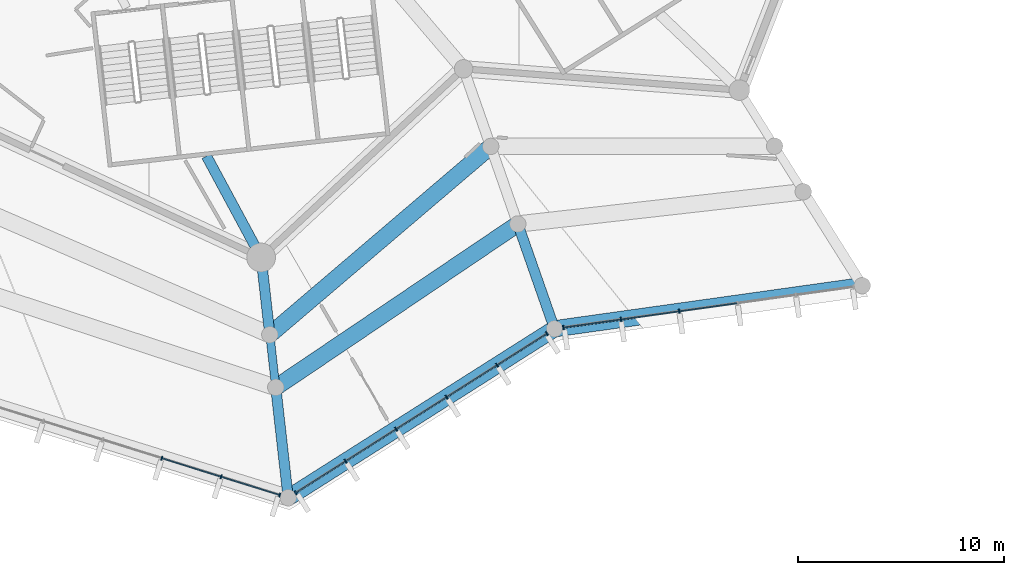
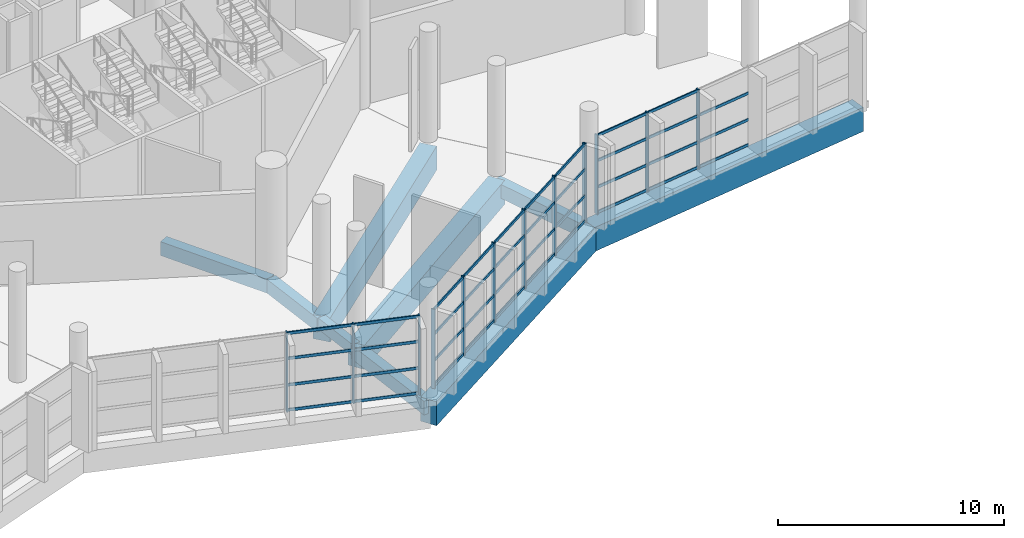
# One storey, part 31 of 249: 51 members, 9 beams, 3 elements without a shape of their own.
"""IFC4 building model written with IfcOpenShell, lengths in metres."""

from ifc_helpers import new_model, si_unit, direction, frame, origin, origin_2d, place, context, subcontext, project, spatial, rectangle, extrude, material, layer, layer_set, material_profile, profile_set, type_object, element, aggregate, save


model = new_model("IFC4")

# Units and contexts
model_context = context("Model", 3, precision=1e-05, world=origin(), true_north=direction((0.0, 1.0)))
body_context = subcontext(model_context, "Body", "Model", "MODEL_VIEW")
ifc_project = project(units=[si_unit("LENGTHUNIT", "METRE"), si_unit("AREAUNIT", "SQUARE_METRE"), si_unit("VOLUMEUNIT", "CUBIC_METRE"), si_unit("PLANEANGLEUNIT", "RADIAN"), si_unit("MASSUNIT", "GRAM", prefix="KILO")], contexts=[model_context])

# Site, building, storey
site_placement = place(None, origin())
site = spatial("IfcSite", under=ifc_project, at=site_placement, CompositionType="ELEMENT")
building_placement = place(site_placement, origin())
building = spatial("IfcBuilding", under=site, at=building_placement, Name="Meseta Stadium", CompositionType="ELEMENT")
storey_placement = place(building_placement, frame((0.0, 0.0, 12.0)))
storey = spatial("IfcBuildingStorey", under=building, at=storey_placement, Name="L02", CompositionType="ELEMENT", Elevation=12.0)

# Beams
ifc_material_1 = material(Name="Concrete C40/50", Category="concrete")
ifc_material_profile_1 = material_profile(ifc_material_1, rectangle(XDim=0.39990234375, YDim=0.60009765625, at=origin_2d()), Name="RC 400x600")
ifc_profile_set_1 = profile_set([ifc_material_profile_1], Name="Concrete C40/50")
beam_type_1 = type_object("IfcBeamType", Name="RC beam 400x600", PredefinedType="BEAM", material=ifc_profile_set_1)
beam_1_placement = place(storey_placement, frame((52.626220703125, -108.80810546875, -0.64990234375), z_axis=(0.111926742176, -0.99371646076, 0.0), x_axis=(0.99371646076, 0.111926742176, 0.0)))
element("IfcBeam", 1, at=beam_1_placement, inside=storey, type_object=beam_type_1, Name="L02 radial beam frame 50 line M to Q", PredefinedType="BEAM", context=body_context, shape_type="SweptSolid", body=[
    extrude(rectangle(XDim=0.39990234375, YDim=0.60009765625, at=origin_2d()), origin(), (0.0, 0.0, 1.0), 2.580322265625),
])
ifc_material_2 = material(Name="Concrete C40/50", Category="concrete")
ifc_material_profile_2 = material_profile(ifc_material_2, rectangle(XDim=0.5, YDim=0.75, at=origin_2d()), Name="RC 500x750")
ifc_profile_set_2 = profile_set([ifc_material_profile_2], Name="Concrete C40/50")
beam_type_2 = type_object("IfcBeamType", Name="RC beam 500x750", PredefinedType="BEAM", material=ifc_profile_set_2)
beam_2_placement = place(storey_placement, frame((49.54541015625, -100.1181640625, -0.72509765625), z_axis=(0.474227121741, -0.880402542594, 0.0), x_axis=(0.880402542594, 0.474227121741, 0.0)))
element("IfcBeam", 2, at=beam_2_placement, inside=storey, type_object=beam_type_2, Name="L02 radial beam frame 50 line P to R", PredefinedType="BEAM", context=body_context, shape_type="SweptSolid", body=[
    extrude(rectangle(XDim=0.5, YDim=0.75, at=origin_2d()), origin(), (0.0, 0.0, 1.0), 5.603759765625),
])
beam_3_placement = place(storey_placement, frame((52.202880859375, -105.0517578125, -0.72509765625), z_axis=(0.111990888536, -0.993709233571, 0.0), x_axis=(0.993709233571, 0.111990888536, 0.0)))
element("IfcBeam", 3, at=beam_3_placement, inside=storey, type_object=beam_type_2, Name="L02 radial beam frame 50 line R to M", PredefinedType="BEAM", context=body_context, shape_type="SweptSolid", body=[
    extrude(rectangle(XDim=0.5, YDim=0.75, at=origin_2d()), origin(), (0.0, 0.0, 1.0), 3.780029296875),
])
for number, where, z_axis, x_axis, name in (
    (4, (52.9150390625, -111.372314453125, -0.72509765625), (0.111944897098, -0.993714415722, 0.0), (0.993714415722, 0.111944897098, 0.0), "L02 radial beam frame 50 line Q to O"),
    (5, (64.69384765625, -103.423828125, -0.72509765625), (0.330271882003, -0.943885842652, 0.0), (0.943885842652, 0.330271882003, 0.0), "L02 radial beam frame 51 line Q to O"),
):
    element("IfcBeam", number, at=place(storey_placement, frame(where, z_axis=z_axis, x_axis=x_axis)), inside=storey, type_object=beam_type_2, Name=name, PredefinedType="BEAM", context=body_context, shape_type="SweptSolid", body=[
        extrude(rectangle(XDim=0.5, YDim=0.75, at=origin_2d()), origin(), (0.0, 0.0, 1.0), 5.39990234375),
    ])
ifc_material_3 = material(Name="Concrete C40/50", Category="concrete")
ifc_material_profile_3 = material_profile(ifc_material_3, rectangle(XDim=0.800048828125, YDim=1.300048828125, at=origin_2d()), Name="RC 800x1300")
ifc_profile_set_3 = profile_set([ifc_material_profile_3], Name="Concrete C40/50")
beam_type_3 = type_object("IfcBeamType", Name="RC beam 800x1300", PredefinedType="BEAM", material=ifc_profile_set_3)
beam_4_placement = place(storey_placement, frame((52.626220703125, -108.80810546875, -1.0), z_axis=(0.761053850743, 0.648688705212, 0.0), x_axis=(-0.648688705212, 0.761053850743, 0.0)))
element("IfcBeam", 6, at=beam_4_placement, inside=storey, type_object=beam_type_3, Name="L02 ring beam frame 50 line M", PredefinedType="BEAM", context=body_context, shape_type="SweptSolid", body=[
    extrude(rectangle(XDim=0.800048828125, YDim=1.300048828125, at=origin_2d()), origin(), (0.0, 0.0, 1.0), 14.12060546875),
])
beam_5_placement = place(storey_placement, frame((52.9150390625, -111.372314453125, -1.0), z_axis=(0.828920770395, 0.559366030795, 0.0), x_axis=(-0.559366030795, 0.828920770395, 0.0)))
element("IfcBeam", 7, at=beam_5_placement, inside=storey, type_object=beam_type_3, Name="L02 ring beam frame 50 line Q", PredefinedType="BEAM", context=body_context, shape_type="SweptSolid", body=[
    extrude(rectangle(XDim=0.800048828125, YDim=1.300048828125, at=origin_2d()), origin(), (0.0, 0.0, 1.0), 14.209716796875),
])
beam_6_placement = place(storey_placement, frame((53.51953125, -116.73828125, -1.0), z_axis=(0.844496467493, 0.535561122927, 0.0), x_axis=(-0.535561122927, 0.844496467493, 0.0)))
element("IfcBeam", 8, at=beam_6_placement, inside=storey, type_object=beam_type_3, Name="L02 ring beam frame 50 line O", PredefinedType="BEAM", context=body_context, shape_type="SweptSolid", body=[
    extrude(rectangle(XDim=0.800048828125, YDim=1.300048828125, at=origin_2d()), origin(), (0.0, 0.0, 1.0), 15.34375),
])
beam_7_placement = place(storey_placement, frame((66.477294921875, -108.520751953125, -1.0), z_axis=(0.990344007641, 0.138631693814, 0.0), x_axis=(-0.138631693814, 0.990344007641, 0.0)))
element("IfcBeam", 9, at=beam_7_placement, inside=storey, type_object=beam_type_3, Name="L02 ring beam frame 51 line O", PredefinedType="BEAM", context=body_context, shape_type="SweptSolid", body=[
    extrude(rectangle(XDim=0.800048828125, YDim=1.300048828125, at=origin_2d()), origin(), (0.0, 0.0, 1.0), 15.122314453125),
])

# Curtain wall, members
ifc_material_4 = material(Name="Aluminium", Category="aluminium")
ifc_layer = layer(ifc_material_4, 0.199951171875)
ifc_layer_set = layer_set([ifc_layer], Name="Ring shopfront curtain wall")
curtain_wall_type = type_object("IfcCurtainWallType", Name="Ring shopfront curtain wall", PredefinedType="NOTDEFINED", material=ifc_layer_set)
curtain_wall_1_placement = place(storey_placement, origin())
curtain_wall_1 = element("IfcCurtainWall", 10, at=curtain_wall_1_placement, inside=storey, type_object=curtain_wall_type, Name="Ring glazing L02 F49", PredefinedType="NOTDEFINED")
ifc_material_5 = material(Name="Aluminium", Category="aluminium")
ifc_material_profile_4 = material_profile(ifc_material_5, rectangle(XDim=0.199951171875, YDim=0.06005859375, at=origin_2d()), Name="CW 200x60")
ifc_profile_set_4 = profile_set([ifc_material_profile_4], Name="Aluminium")
member_type_1 = type_object("IfcMemberType", Name="Ring CW mullion 60x200", PredefinedType="MULLION", material=ifc_profile_set_4)
member_1_placement = place(storey_placement, frame((47.36865234375, -114.8193359375, 0.0), z_axis=(0.0, 0.0, 1.0), x_axis=(0.297861157885, 0.95460920309, 0.0)))
member_1 = element("IfcMember", 11, at=member_1_placement, type_object=member_type_1, Name="CWR1 mullion 4", PredefinedType="MULLION", context=body_context, shape_type="SweptSolid", body=[
    extrude(rectangle(XDim=0.199951171875, YDim=0.06005859375, at=origin_2d()), origin(), (0.0, 0.0, 1.0), 4.300048828125),
])
member_2_placement = place(storey_placement, frame((50.253173828125, -115.71923828125, 0.0), z_axis=(0.0, 0.0, 1.0), x_axis=(0.297861157885, 0.95460920309, 0.0)))
member_2 = element("IfcMember", 12, at=member_2_placement, type_object=member_type_1, Name="CWR1 mullion 5", PredefinedType="MULLION", context=body_context, shape_type="SweptSolid", body=[
    extrude(rectangle(XDim=0.199951171875, YDim=0.06005859375, at=origin_2d()), origin(), (0.0, 0.0, 1.0), 4.300048828125),
])
member_3_placement = place(storey_placement, frame((53.109130859375, -116.6103515625, 0.0), z_axis=(0.0, 0.0, 1.0), x_axis=(0.297861157885, 0.95460920309, 0.0)))
member_3 = element("IfcMember", 13, at=member_3_placement, type_object=member_type_1, Name="CWR1 mullion 6", PredefinedType="MULLION", context=body_context, shape_type="SweptSolid", body=[
    extrude(rectangle(XDim=0.199951171875, YDim=0.06005859375, at=origin_2d()), origin(), (0.0, 0.0, 1.0), 4.300048828125),
])

curtain_wall_2_placement = place(storey_placement, origin())
curtain_wall_2 = element("IfcCurtainWall", 14, at=curtain_wall_2_placement, inside=storey, type_object=curtain_wall_type, Name="Ring glazing L02 F50", PredefinedType="NOTDEFINED")
member_4_placement = place(storey_placement, frame((53.8828125, -116.508056640625, 0.0), z_axis=(0.0, 0.0, 1.0), x_axis=(-0.535569055659, 0.844491436677, 0.0)))
member_4 = element("IfcMember", 15, at=member_4_placement, type_object=member_type_1, Name="CWR1 mullion 1", PredefinedType="MULLION", context=body_context, shape_type="SweptSolid", body=[
    extrude(rectangle(XDim=0.199951171875, YDim=0.06005859375, at=origin_2d()), origin(), (0.0, 0.0, 1.0), 4.300048828125),
])
member_5_placement = place(storey_placement, frame((56.313720703125, -114.96630859375, 0.0), z_axis=(0.0, 0.0, 1.0), x_axis=(-0.535569055659, 0.844491436677, 0.0)))
member_5 = element("IfcMember", 16, at=member_5_placement, type_object=member_type_1, Name="CWR1 mullion 2", PredefinedType="MULLION", context=body_context, shape_type="SweptSolid", body=[
    extrude(rectangle(XDim=0.199951171875, YDim=0.06005859375, at=origin_2d()), origin(), (0.0, 0.0, 1.0), 4.300048828125),
])
member_6_placement = place(storey_placement, frame((58.770263671875, -113.408447265625, 0.0), z_axis=(0.0, 0.0, 1.0), x_axis=(-0.535569055659, 0.844491436677, 0.0)))
member_6 = element("IfcMember", 17, at=member_6_placement, type_object=member_type_1, Name="CWR1 mullion 3", PredefinedType="MULLION", context=body_context, shape_type="SweptSolid", body=[
    extrude(rectangle(XDim=0.199951171875, YDim=0.06005859375, at=origin_2d()), origin(), (0.0, 0.0, 1.0), 4.300048828125),
])
member_7_placement = place(storey_placement, frame((61.2265625, -111.8505859375, 0.0), z_axis=(0.0, 0.0, 1.0), x_axis=(-0.535569055659, 0.844491436677, 0.0)))
member_7 = element("IfcMember", 18, at=member_7_placement, type_object=member_type_1, Name="CWR1 mullion 4", PredefinedType="MULLION", context=body_context, shape_type="SweptSolid", body=[
    extrude(rectangle(XDim=0.199951171875, YDim=0.06005859375, at=origin_2d()), origin(), (0.0, 0.0, 1.0), 4.300048828125),
])
member_8_placement = place(storey_placement, frame((63.68310546875, -110.292724609375, 0.0), z_axis=(0.0, 0.0, 1.0), x_axis=(-0.535569055659, 0.844491436677, 0.0)))
member_8 = element("IfcMember", 19, at=member_8_placement, type_object=member_type_1, Name="CWR1 mullion 5", PredefinedType="MULLION", context=body_context, shape_type="SweptSolid", body=[
    extrude(rectangle(XDim=0.199951171875, YDim=0.06005859375, at=origin_2d()), origin(), (0.0, 0.0, 1.0), 4.300048828125),
])
member_9_placement = place(storey_placement, frame((66.1142578125, -108.7509765625, 0.0), z_axis=(0.0, 0.0, 1.0), x_axis=(-0.535569055659, 0.844491436677, 0.0)))
member_9 = element("IfcMember", 20, at=member_9_placement, type_object=member_type_1, Name="CWR1 mullion 6", PredefinedType="MULLION", context=body_context, shape_type="SweptSolid", body=[
    extrude(rectangle(XDim=0.199951171875, YDim=0.06005859375, at=origin_2d()), origin(), (0.0, 0.0, 1.0), 4.300048828125),
])

curtain_wall_3_placement = place(storey_placement, origin())
curtain_wall_3 = element("IfcCurtainWall", 21, at=curtain_wall_3_placement, inside=storey, type_object=curtain_wall_type, Name="Ring glazing L02 F51", PredefinedType="NOTDEFINED")
member_10_placement = place(storey_placement, frame((66.903076171875, -108.461181640625, 0.0), z_axis=(0.0, 0.0, 1.0), x_axis=(-0.13864277713, 0.990342456098, 0.0)))
member_10 = element("IfcMember", 22, at=member_10_placement, type_object=member_type_1, Name="CWR1 mullion 1", PredefinedType="MULLION", context=body_context, shape_type="SweptSolid", body=[
    extrude(rectangle(XDim=0.199951171875, YDim=0.06005859375, at=origin_2d()), origin(), (0.0, 0.0, 1.0), 4.300048828125),
])
member_11_placement = place(storey_placement, frame((69.710205078125, -108.068115234375, 0.0), z_axis=(0.0, 0.0, 1.0), x_axis=(-0.13864277713, 0.990342456098, 0.0)))
member_11 = element("IfcMember", 23, at=member_11_placement, type_object=member_type_1, Name="CWR1 mullion 2", PredefinedType="MULLION", context=body_context, shape_type="SweptSolid", body=[
    extrude(rectangle(XDim=0.199951171875, YDim=0.06005859375, at=origin_2d()), origin(), (0.0, 0.0, 1.0), 4.300048828125),
])
member_12_placement = place(storey_placement, frame((72.547119140625, -107.6708984375, 0.0), z_axis=(0.0, 0.0, 1.0), x_axis=(-0.13864277713, 0.990342456098, 0.0)))
member_12 = element("IfcMember", 24, at=member_12_placement, type_object=member_type_1, Name="CWR1 mullion 3", PredefinedType="MULLION", context=body_context, shape_type="SweptSolid", body=[
    extrude(rectangle(XDim=0.199951171875, YDim=0.06005859375, at=origin_2d()), origin(), (0.0, 0.0, 1.0), 4.300048828125),
])

# Member
ifc_material_6 = material(Name="Aluminium", Category="aluminium")
ifc_material_profile_5 = material_profile(ifc_material_6, rectangle(XDim=0.06005859375, YDim=0.14990234375, at=origin_2d()), Name="CW 60x150")
ifc_profile_set_5 = profile_set([ifc_material_profile_5], Name="Aluminium")
member_type_2 = type_object("IfcMemberType", Name="Ring CW transom 60x150", PredefinedType="USERDEFINED", material=ifc_profile_set_5)
member_13_placement = place(storey_placement, frame((47.3974609375, -114.828125, 0.074951171875), z_axis=(0.954614829799, -0.297843124358, 0.0), x_axis=(0.297843124358, 0.954614829799, 0.0)))
member_13 = element("IfcMember", 25, at=member_13_placement, type_object=member_type_2, Name="CWR1 transom 4.1", ObjectType="TRANSOM", PredefinedType="USERDEFINED", context=body_context, shape_type="SweptSolid", body=[
    extrude(rectangle(XDim=0.06005859375, YDim=0.14990234375, at=origin_2d()), origin(), (0.0, 0.0, 1.0), 2.961669921875),
])

member_14_placement = place(storey_placement, frame((47.3974609375, -114.828125, 1.433349609375), z_axis=(0.954614829799, -0.297843124358, 0.0), x_axis=(0.297843124358, 0.954614829799, 0.0)))
member_14 = element("IfcMember", 26, at=member_14_placement, type_object=member_type_2, Name="CWR1 transom 4.2", ObjectType="TRANSOM", PredefinedType="USERDEFINED", context=body_context, shape_type="SweptSolid", body=[
    extrude(rectangle(XDim=0.06005859375, YDim=0.14990234375, at=origin_2d()), origin(), (0.0, 0.0, 1.0), 2.961669921875),
])

member_15_placement = place(storey_placement, frame((47.3974609375, -114.828125, 2.86669921875), z_axis=(0.954614829799, -0.297843124358, 0.0), x_axis=(0.297843124358, 0.954614829799, 0.0)))
member_15 = element("IfcMember", 27, at=member_15_placement, type_object=member_type_2, Name="CWR1 transom 4.3", ObjectType="TRANSOM", PredefinedType="USERDEFINED", context=body_context, shape_type="SweptSolid", body=[
    extrude(rectangle(XDim=0.06005859375, YDim=0.14990234375, at=origin_2d()), origin(), (0.0, 0.0, 1.0), 2.961669921875),
])

member_16_placement = place(storey_placement, frame((47.3974609375, -114.828125, 4.22509765625), z_axis=(0.954614829799, -0.297843124358, 0.0), x_axis=(0.297843124358, 0.954614829799, 0.0)))
member_16 = element("IfcMember", 28, at=member_16_placement, type_object=member_type_2, Name="CWR1 transom 4.4", ObjectType="TRANSOM", PredefinedType="USERDEFINED", context=body_context, shape_type="SweptSolid", body=[
    extrude(rectangle(XDim=0.06005859375, YDim=0.14990234375, at=origin_2d()), origin(), (0.0, 0.0, 1.0), 2.961669921875),
])

member_17_placement = place(storey_placement, frame((50.281982421875, -115.728271484375, 0.074951171875), z_axis=(0.954626563938, -0.297805512749, 0.0), x_axis=(0.297805512749, 0.954626563938, 0.0)))
member_17 = element("IfcMember", 29, at=member_17_placement, type_object=member_type_2, Name="CWR1 transom 5.1", ObjectType="TRANSOM", PredefinedType="USERDEFINED", context=body_context, shape_type="SweptSolid", body=[
    extrude(rectangle(XDim=0.06005859375, YDim=0.14990234375, at=origin_2d()), origin(), (0.0, 0.0, 1.0), 2.931640625),
])

member_18_placement = place(storey_placement, frame((50.281982421875, -115.728271484375, 1.433349609375), z_axis=(0.954626563938, -0.297805512749, 0.0), x_axis=(0.297805512749, 0.954626563938, 0.0)))
member_18 = element("IfcMember", 30, at=member_18_placement, type_object=member_type_2, Name="CWR1 transom 5.2", ObjectType="TRANSOM", PredefinedType="USERDEFINED", context=body_context, shape_type="SweptSolid", body=[
    extrude(rectangle(XDim=0.06005859375, YDim=0.14990234375, at=origin_2d()), origin(), (0.0, 0.0, 1.0), 2.931640625),
])

member_19_placement = place(storey_placement, frame((50.281982421875, -115.728271484375, 2.86669921875), z_axis=(0.954626563938, -0.297805512749, 0.0), x_axis=(0.297805512749, 0.954626563938, 0.0)))
member_19 = element("IfcMember", 31, at=member_19_placement, type_object=member_type_2, Name="CWR1 transom 5.3", ObjectType="TRANSOM", PredefinedType="USERDEFINED", context=body_context, shape_type="SweptSolid", body=[
    extrude(rectangle(XDim=0.06005859375, YDim=0.14990234375, at=origin_2d()), origin(), (0.0, 0.0, 1.0), 2.931640625),
])

member_20_placement = place(storey_placement, frame((50.281982421875, -115.728271484375, 4.22509765625), z_axis=(0.954626563938, -0.297805512749, 0.0), x_axis=(0.297805512749, 0.954626563938, 0.0)))
member_20 = element("IfcMember", 32, at=member_20_placement, type_object=member_type_2, Name="CWR1 transom 5.4", ObjectType="TRANSOM", PredefinedType="USERDEFINED", context=body_context, shape_type="SweptSolid", body=[
    extrude(rectangle(XDim=0.06005859375, YDim=0.14990234375, at=origin_2d()), origin(), (0.0, 0.0, 1.0), 2.931640625),
])

aggregate(curtain_wall_1, [member_1, member_2, member_3, member_13, member_14, member_15, member_16, member_17, member_18, member_19, member_20])

member_21_placement = place(storey_placement, frame((53.907958984375, -116.4921875, 0.074951171875), z_axis=(0.84449138182, 0.535569142157, 0.0), x_axis=(-0.535569142157, 0.84449138182, 0.0)))
member_21 = element("IfcMember", 33, at=member_21_placement, type_object=member_type_2, Name="CWR1 transom 1.1", ObjectType="TRANSOM", PredefinedType="USERDEFINED", context=body_context, shape_type="SweptSolid", body=[
    extrude(rectangle(XDim=0.06005859375, YDim=0.14990234375, at=origin_2d()), origin(), (0.0, 0.0, 1.0), 2.819091796875),
])

member_22_placement = place(storey_placement, frame((53.907958984375, -116.4921875, 1.433349609375), z_axis=(0.84449138182, 0.535569142157, 0.0), x_axis=(-0.535569142157, 0.84449138182, 0.0)))
member_22 = element("IfcMember", 34, at=member_22_placement, type_object=member_type_2, Name="CWR1 transom 1.2", ObjectType="TRANSOM", PredefinedType="USERDEFINED", context=body_context, shape_type="SweptSolid", body=[
    extrude(rectangle(XDim=0.06005859375, YDim=0.14990234375, at=origin_2d()), origin(), (0.0, 0.0, 1.0), 2.819091796875),
])

member_23_placement = place(storey_placement, frame((53.907958984375, -116.4921875, 2.86669921875), z_axis=(0.84449138182, 0.535569142157, 0.0), x_axis=(-0.535569142157, 0.84449138182, 0.0)))
member_23 = element("IfcMember", 35, at=member_23_placement, type_object=member_type_2, Name="CWR1 transom 1.3", ObjectType="TRANSOM", PredefinedType="USERDEFINED", context=body_context, shape_type="SweptSolid", body=[
    extrude(rectangle(XDim=0.06005859375, YDim=0.14990234375, at=origin_2d()), origin(), (0.0, 0.0, 1.0), 2.819091796875),
])

member_24_placement = place(storey_placement, frame((53.907958984375, -116.4921875, 4.22509765625), z_axis=(0.84449138182, 0.535569142157, 0.0), x_axis=(-0.535569142157, 0.84449138182, 0.0)))
member_24 = element("IfcMember", 36, at=member_24_placement, type_object=member_type_2, Name="CWR1 transom 1.4", ObjectType="TRANSOM", PredefinedType="USERDEFINED", context=body_context, shape_type="SweptSolid", body=[
    extrude(rectangle(XDim=0.06005859375, YDim=0.14990234375, at=origin_2d()), origin(), (0.0, 0.0, 1.0), 2.819091796875),
])

member_25_placement = place(storey_placement, frame((56.339111328125, -114.9501953125, 0.074951171875), z_axis=(0.844503851556, 0.535549479234, 0.0), x_axis=(-0.535549479234, 0.844503851556, 0.0)))
member_25 = element("IfcMember", 37, at=member_25_placement, type_object=member_type_2, Name="CWR1 transom 2.1", ObjectType="TRANSOM", PredefinedType="USERDEFINED", context=body_context, shape_type="SweptSolid", body=[
    extrude(rectangle(XDim=0.06005859375, YDim=0.14990234375, at=origin_2d()), origin(), (0.0, 0.0, 1.0), 2.8486328125),
])

member_26_placement = place(storey_placement, frame((56.339111328125, -114.9501953125, 1.433349609375), z_axis=(0.844503851556, 0.535549479234, 0.0), x_axis=(-0.535549479234, 0.844503851556, 0.0)))
member_26 = element("IfcMember", 38, at=member_26_placement, type_object=member_type_2, Name="CWR1 transom 2.2", ObjectType="TRANSOM", PredefinedType="USERDEFINED", context=body_context, shape_type="SweptSolid", body=[
    extrude(rectangle(XDim=0.06005859375, YDim=0.14990234375, at=origin_2d()), origin(), (0.0, 0.0, 1.0), 2.8486328125),
])

member_27_placement = place(storey_placement, frame((56.339111328125, -114.9501953125, 2.86669921875), z_axis=(0.844503851556, 0.535549479234, 0.0), x_axis=(-0.535549479234, 0.844503851556, 0.0)))
member_27 = element("IfcMember", 39, at=member_27_placement, type_object=member_type_2, Name="CWR1 transom 2.3", ObjectType="TRANSOM", PredefinedType="USERDEFINED", context=body_context, shape_type="SweptSolid", body=[
    extrude(rectangle(XDim=0.06005859375, YDim=0.14990234375, at=origin_2d()), origin(), (0.0, 0.0, 1.0), 2.8486328125),
])

member_28_placement = place(storey_placement, frame((56.339111328125, -114.9501953125, 4.22509765625), z_axis=(0.844503851556, 0.535549479234, 0.0), x_axis=(-0.535549479234, 0.844503851556, 0.0)))
member_28 = element("IfcMember", 40, at=member_28_placement, type_object=member_type_2, Name="CWR1 transom 2.4", ObjectType="TRANSOM", PredefinedType="USERDEFINED", context=body_context, shape_type="SweptSolid", body=[
    extrude(rectangle(XDim=0.06005859375, YDim=0.14990234375, at=origin_2d()), origin(), (0.0, 0.0, 1.0), 2.8486328125),
])

member_29_placement = place(storey_placement, frame((58.795654296875, -113.392333984375, 0.074951171875), z_axis=(0.844503851556, 0.535549479234, 0.0), x_axis=(-0.535549479234, 0.844503851556, 0.0)))
member_29 = element("IfcMember", 41, at=member_29_placement, type_object=member_type_2, Name="CWR1 transom 3.1", ObjectType="TRANSOM", PredefinedType="USERDEFINED", context=body_context, shape_type="SweptSolid", body=[
    extrude(rectangle(XDim=0.06005859375, YDim=0.14990234375, at=origin_2d()), origin(), (0.0, 0.0, 1.0), 2.8486328125),
])

member_30_placement = place(storey_placement, frame((58.795654296875, -113.392333984375, 1.433349609375), z_axis=(0.844503851556, 0.535549479234, 0.0), x_axis=(-0.535549479234, 0.844503851556, 0.0)))
member_30 = element("IfcMember", 42, at=member_30_placement, type_object=member_type_2, Name="CWR1 transom 3.2", ObjectType="TRANSOM", PredefinedType="USERDEFINED", context=body_context, shape_type="SweptSolid", body=[
    extrude(rectangle(XDim=0.06005859375, YDim=0.14990234375, at=origin_2d()), origin(), (0.0, 0.0, 1.0), 2.8486328125),
])

member_31_placement = place(storey_placement, frame((58.795654296875, -113.392333984375, 2.86669921875), z_axis=(0.844503851556, 0.535549479234, 0.0), x_axis=(-0.535549479234, 0.844503851556, 0.0)))
member_31 = element("IfcMember", 43, at=member_31_placement, type_object=member_type_2, Name="CWR1 transom 3.3", ObjectType="TRANSOM", PredefinedType="USERDEFINED", context=body_context, shape_type="SweptSolid", body=[
    extrude(rectangle(XDim=0.06005859375, YDim=0.14990234375, at=origin_2d()), origin(), (0.0, 0.0, 1.0), 2.8486328125),
])

member_32_placement = place(storey_placement, frame((58.795654296875, -113.392333984375, 4.22509765625), z_axis=(0.844503851556, 0.535549479234, 0.0), x_axis=(-0.535549479234, 0.844503851556, 0.0)))
member_32 = element("IfcMember", 44, at=member_32_placement, type_object=member_type_2, Name="CWR1 transom 3.4", ObjectType="TRANSOM", PredefinedType="USERDEFINED", context=body_context, shape_type="SweptSolid", body=[
    extrude(rectangle(XDim=0.06005859375, YDim=0.14990234375, at=origin_2d()), origin(), (0.0, 0.0, 1.0), 2.8486328125),
])

member_33_placement = place(storey_placement, frame((61.251953125, -111.834716796875, 0.074951171875), z_axis=(0.844465090539, 0.535610596293, 0.0), x_axis=(-0.535610596293, 0.844465090539, 0.0)))
member_33 = element("IfcMember", 45, at=member_33_placement, type_object=member_type_2, Name="CWR1 transom 4.1", ObjectType="TRANSOM", PredefinedType="USERDEFINED", context=body_context, shape_type="SweptSolid", body=[
    extrude(rectangle(XDim=0.06005859375, YDim=0.14990234375, at=origin_2d()), origin(), (0.0, 0.0, 1.0), 2.848876953125),
])

member_34_placement = place(storey_placement, frame((61.251953125, -111.834716796875, 1.433349609375), z_axis=(0.844465090539, 0.535610596293, 0.0), x_axis=(-0.535610596293, 0.844465090539, 0.0)))
member_34 = element("IfcMember", 46, at=member_34_placement, type_object=member_type_2, Name="CWR1 transom 4.2", ObjectType="TRANSOM", PredefinedType="USERDEFINED", context=body_context, shape_type="SweptSolid", body=[
    extrude(rectangle(XDim=0.06005859375, YDim=0.14990234375, at=origin_2d()), origin(), (0.0, 0.0, 1.0), 2.848876953125),
])

member_35_placement = place(storey_placement, frame((61.251953125, -111.834716796875, 2.86669921875), z_axis=(0.844465090539, 0.535610596293, 0.0), x_axis=(-0.535610596293, 0.844465090539, 0.0)))
member_35 = element("IfcMember", 47, at=member_35_placement, type_object=member_type_2, Name="CWR1 transom 4.3", ObjectType="TRANSOM", PredefinedType="USERDEFINED", context=body_context, shape_type="SweptSolid", body=[
    extrude(rectangle(XDim=0.06005859375, YDim=0.14990234375, at=origin_2d()), origin(), (0.0, 0.0, 1.0), 2.848876953125),
])

member_36_placement = place(storey_placement, frame((61.251953125, -111.834716796875, 4.22509765625), z_axis=(0.844465090539, 0.535610596293, 0.0), x_axis=(-0.535610596293, 0.844465090539, 0.0)))
member_36 = element("IfcMember", 48, at=member_36_placement, type_object=member_type_2, Name="CWR1 transom 4.4", ObjectType="TRANSOM", PredefinedType="USERDEFINED", context=body_context, shape_type="SweptSolid", body=[
    extrude(rectangle(XDim=0.06005859375, YDim=0.14990234375, at=origin_2d()), origin(), (0.0, 0.0, 1.0), 2.848876953125),
])

member_37_placement = place(storey_placement, frame((63.70849609375, -110.27685546875, 0.074951171875), z_axis=(0.844466537632, 0.53560831474, 0.0), x_axis=(-0.53560831474, 0.844466537632, 0.0)))
member_37 = element("IfcMember", 49, at=member_37_placement, type_object=member_type_2, Name="CWR1 transom 5.1", ObjectType="TRANSOM", PredefinedType="USERDEFINED", context=body_context, shape_type="SweptSolid", body=[
    extrude(rectangle(XDim=0.06005859375, YDim=0.14990234375, at=origin_2d()), origin(), (0.0, 0.0, 1.0), 2.81884765625),
])

member_38_placement = place(storey_placement, frame((63.70849609375, -110.27685546875, 1.433349609375), z_axis=(0.844466537632, 0.53560831474, 0.0), x_axis=(-0.53560831474, 0.844466537632, 0.0)))
member_38 = element("IfcMember", 50, at=member_38_placement, type_object=member_type_2, Name="CWR1 transom 5.2", ObjectType="TRANSOM", PredefinedType="USERDEFINED", context=body_context, shape_type="SweptSolid", body=[
    extrude(rectangle(XDim=0.06005859375, YDim=0.14990234375, at=origin_2d()), origin(), (0.0, 0.0, 1.0), 2.81884765625),
])

member_39_placement = place(storey_placement, frame((63.70849609375, -110.27685546875, 2.86669921875), z_axis=(0.844466537632, 0.53560831474, 0.0), x_axis=(-0.53560831474, 0.844466537632, 0.0)))
member_39 = element("IfcMember", 51, at=member_39_placement, type_object=member_type_2, Name="CWR1 transom 5.3", ObjectType="TRANSOM", PredefinedType="USERDEFINED", context=body_context, shape_type="SweptSolid", body=[
    extrude(rectangle(XDim=0.06005859375, YDim=0.14990234375, at=origin_2d()), origin(), (0.0, 0.0, 1.0), 2.81884765625),
])

member_40_placement = place(storey_placement, frame((63.70849609375, -110.27685546875, 4.22509765625), z_axis=(0.844466537632, 0.53560831474, 0.0), x_axis=(-0.53560831474, 0.844466537632, 0.0)))
member_40 = element("IfcMember", 52, at=member_40_placement, type_object=member_type_2, Name="CWR1 transom 5.4", ObjectType="TRANSOM", PredefinedType="USERDEFINED", context=body_context, shape_type="SweptSolid", body=[
    extrude(rectangle(XDim=0.06005859375, YDim=0.14990234375, at=origin_2d()), origin(), (0.0, 0.0, 1.0), 2.81884765625),
])

aggregate(curtain_wall_2, [member_4, member_5, member_6, member_7, member_8, member_9, member_21, member_22, member_23, member_24, member_25, member_26, member_27, member_28, member_29, member_30, member_31, member_32, member_33, member_34, member_35, member_36, member_37, member_38, member_39, member_40])

member_41_placement = place(storey_placement, frame((66.932861328125, -108.45703125, 0.074951171875), z_axis=(0.990336429435, 0.138685819512, 0.0), x_axis=(-0.138685819512, 0.990336429435, 0.0)))
member_41 = element("IfcMember", 53, at=member_41_placement, type_object=member_type_2, Name="CWR1 transom 1.1", ObjectType="TRANSOM", PredefinedType="USERDEFINED", context=body_context, shape_type="SweptSolid", body=[
    extrude(rectangle(XDim=0.06005859375, YDim=0.14990234375, at=origin_2d()), origin(), (0.0, 0.0, 1.0), 2.7744140625),
])

member_42_placement = place(storey_placement, frame((66.932861328125, -108.45703125, 1.433349609375), z_axis=(0.990336429435, 0.138685819512, 0.0), x_axis=(-0.138685819512, 0.990336429435, 0.0)))
member_42 = element("IfcMember", 54, at=member_42_placement, type_object=member_type_2, Name="CWR1 transom 1.2", ObjectType="TRANSOM", PredefinedType="USERDEFINED", context=body_context, shape_type="SweptSolid", body=[
    extrude(rectangle(XDim=0.06005859375, YDim=0.14990234375, at=origin_2d()), origin(), (0.0, 0.0, 1.0), 2.7744140625),
])

member_43_placement = place(storey_placement, frame((66.932861328125, -108.45703125, 2.86669921875), z_axis=(0.990336429435, 0.138685819512, 0.0), x_axis=(-0.138685819512, 0.990336429435, 0.0)))
member_43 = element("IfcMember", 55, at=member_43_placement, type_object=member_type_2, Name="CWR1 transom 1.3", ObjectType="TRANSOM", PredefinedType="USERDEFINED", context=body_context, shape_type="SweptSolid", body=[
    extrude(rectangle(XDim=0.06005859375, YDim=0.14990234375, at=origin_2d()), origin(), (0.0, 0.0, 1.0), 2.7744140625),
])

member_44_placement = place(storey_placement, frame((66.932861328125, -108.45703125, 4.22509765625), z_axis=(0.990336429435, 0.138685819512, 0.0), x_axis=(-0.138685819512, 0.990336429435, 0.0)))
member_44 = element("IfcMember", 56, at=member_44_placement, type_object=member_type_2, Name="CWR1 transom 1.4", ObjectType="TRANSOM", PredefinedType="USERDEFINED", context=body_context, shape_type="SweptSolid", body=[
    extrude(rectangle(XDim=0.06005859375, YDim=0.14990234375, at=origin_2d()), origin(), (0.0, 0.0, 1.0), 2.7744140625),
])

member_45_placement = place(storey_placement, frame((69.739990234375, -108.06396484375, 0.074951171875), z_axis=(0.990349395442, 0.138593199503, 0.0), x_axis=(-0.138593199503, 0.990349395442, 0.0)))
member_45 = element("IfcMember", 57, at=member_45_placement, type_object=member_type_2, Name="CWR1 transom 2.1", ObjectType="TRANSOM", PredefinedType="USERDEFINED", context=body_context, shape_type="SweptSolid", body=[
    extrude(rectangle(XDim=0.06005859375, YDim=0.14990234375, at=origin_2d()), origin(), (0.0, 0.0, 1.0), 2.804443359375),
])

member_46_placement = place(storey_placement, frame((69.739990234375, -108.06396484375, 1.433349609375), z_axis=(0.990349395442, 0.138593199503, 0.0), x_axis=(-0.138593199503, 0.990349395442, 0.0)))
member_46 = element("IfcMember", 58, at=member_46_placement, type_object=member_type_2, Name="CWR1 transom 2.2", ObjectType="TRANSOM", PredefinedType="USERDEFINED", context=body_context, shape_type="SweptSolid", body=[
    extrude(rectangle(XDim=0.06005859375, YDim=0.14990234375, at=origin_2d()), origin(), (0.0, 0.0, 1.0), 2.804443359375),
])

member_47_placement = place(storey_placement, frame((69.739990234375, -108.06396484375, 2.86669921875), z_axis=(0.990349395442, 0.138593199503, 0.0), x_axis=(-0.138593199503, 0.990349395442, 0.0)))
member_47 = element("IfcMember", 59, at=member_47_placement, type_object=member_type_2, Name="CWR1 transom 2.3", ObjectType="TRANSOM", PredefinedType="USERDEFINED", context=body_context, shape_type="SweptSolid", body=[
    extrude(rectangle(XDim=0.06005859375, YDim=0.14990234375, at=origin_2d()), origin(), (0.0, 0.0, 1.0), 2.804443359375),
])

member_48_placement = place(storey_placement, frame((69.739990234375, -108.06396484375, 4.22509765625), z_axis=(0.990349395442, 0.138593199503, 0.0), x_axis=(-0.138593199503, 0.990349395442, 0.0)))
member_48 = element("IfcMember", 60, at=member_48_placement, type_object=member_type_2, Name="CWR1 transom 2.4", ObjectType="TRANSOM", PredefinedType="USERDEFINED", context=body_context, shape_type="SweptSolid", body=[
    extrude(rectangle(XDim=0.06005859375, YDim=0.14990234375, at=origin_2d()), origin(), (0.0, 0.0, 1.0), 2.804443359375),
])

member_49_placement = place(storey_placement, frame((72.57666015625, -107.666748046875, 0.074951171875), z_axis=(0.990351067404, 0.138581251587, 0.0), x_axis=(-0.138581251587, 0.990351067404, 0.0)))
member_49 = element("IfcMember", 61, at=member_49_placement, type_object=member_type_2, Name="CWR1 transom 3.1", ObjectType="TRANSOM", PredefinedType="USERDEFINED", context=body_context, shape_type="SweptSolid", body=[
    extrude(rectangle(XDim=0.06005859375, YDim=0.14990234375, at=origin_2d()), origin(), (0.0, 0.0, 1.0), 2.8046875),
])

member_50_placement = place(storey_placement, frame((72.57666015625, -107.666748046875, 1.433349609375), z_axis=(0.990351067404, 0.138581251587, 0.0), x_axis=(-0.138581251587, 0.990351067404, 0.0)))
member_50 = element("IfcMember", 62, at=member_50_placement, type_object=member_type_2, Name="CWR1 transom 3.2", ObjectType="TRANSOM", PredefinedType="USERDEFINED", context=body_context, shape_type="SweptSolid", body=[
    extrude(rectangle(XDim=0.06005859375, YDim=0.14990234375, at=origin_2d()), origin(), (0.0, 0.0, 1.0), 2.8046875),
])

member_51_placement = place(storey_placement, frame((72.57666015625, -107.666748046875, 2.86669921875), z_axis=(0.990351067404, 0.138581251587, 0.0), x_axis=(-0.138581251587, 0.990351067404, 0.0)))
member_51 = element("IfcMember", 63, at=member_51_placement, type_object=member_type_2, Name="CWR1 transom 3.3", ObjectType="TRANSOM", PredefinedType="USERDEFINED", context=body_context, shape_type="SweptSolid", body=[
    extrude(rectangle(XDim=0.06005859375, YDim=0.14990234375, at=origin_2d()), origin(), (0.0, 0.0, 1.0), 2.8046875),
])

aggregate(curtain_wall_3, [member_10, member_11, member_12, member_41, member_42, member_43, member_44, member_45, member_46, member_47, member_48, member_49, member_50, member_51])

save(model, "model.ifc")
